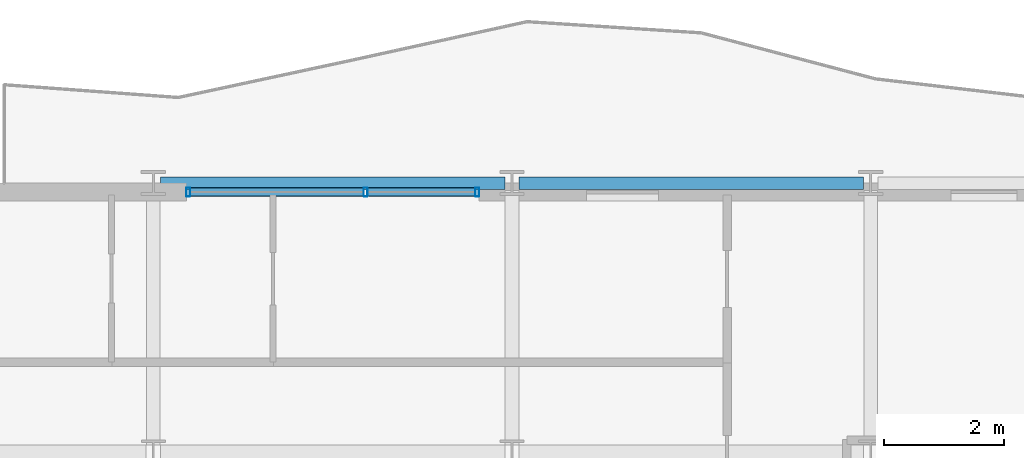
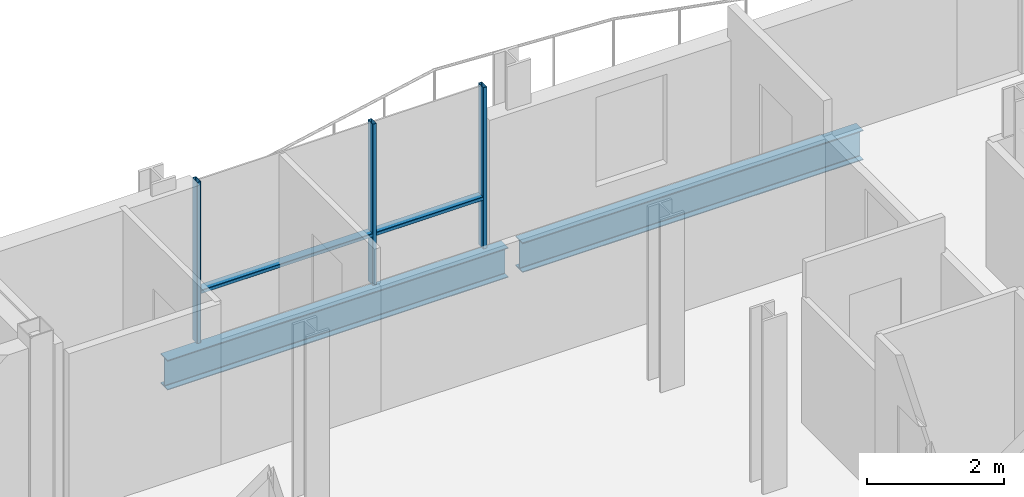
# One storey, part 23 of 41: 5 members, 2 beams, 1 element without a shape of its own.
"""IFC4 building model written with IfcOpenShell, lengths in metres."""

import ifcopenshell
import ifcopenshell.guid

model = None  # the IFC model being written
_history = None  # IfcOwnerHistory: only IFC2X3 demands one
_inside = {}  # id of a spatial element -> (the spatial element, [elements in it])
_under = {}  # id of a project, library or spatial element -> (it, [spatial elements below it])
_declared = {}  # id of a project -> (the project, [libraries it declares])
_typed = {}  # id of a type object -> (the type object, [elements of that type])
_made_of = {}  # id of a material, layer set ... -> (it, [elements and type objects made of it])


def new_model(schema):
    """Start an empty IFC model of exactly this schema.

    Asked for "IFC4X3", IfcOpenShell would pick the latest addendum, in which some entities
    have other attributes; the version numbers below select the first issue.
    IFC2X3 requires an IfcOwnerHistory on every rooted entity: one is made here for all.
    """
    global model, _history
    if schema == "IFC4X3":
        model = ifcopenshell.file(schema_version=(4, 3, 0, 0))
    else:
        model = ifcopenshell.file(schema=schema)
    _inside.clear()
    _under.clear()
    _declared.clear()
    _typed.clear()
    _made_of.clear()
    _history = None
    if model.schema == "IFC2X3":
        org = make("IfcOrganization", Name="unknown")
        user = make(
            "IfcPersonAndOrganization",
            ThePerson=make("IfcPerson", FamilyName="unknown"),
            TheOrganization=org,
        )
        app = make(
            "IfcApplication",
            ApplicationDeveloper=org,
            Version="unknown",
            ApplicationFullName="unknown",
            ApplicationIdentifier="unknown",
        )
        _history = make(
            "IfcOwnerHistory",
            OwningUser=user,
            OwningApplication=app,
            ChangeAction="ADDED",
            CreationDate=0,
        )
    return model


def make(cls, **values):
    """One entity of the class cls with the attributes given. An attribute that is None is left unset."""
    return model.create_entity(
        cls, **{name: value for name, value in values.items() if value is not None}
    )


def rooted(cls, **values):
    """An entity with a GlobalId (a new one), such as an element, a storey or a relation."""
    return make(cls, GlobalId=ifcopenshell.guid.new(), OwnerHistory=_history, **values)


def si_unit(unit_type, name, prefix=None):
    """IfcSIUnit, for example si_unit("LENGTHUNIT", "METRE", prefix="MILLI")."""
    return make("IfcSIUnit", UnitType=unit_type, Prefix=prefix, Name=name)


def assignment(units):
    """IfcUnitAssignment: the units of a project."""
    return None if units is None else make("IfcUnitAssignment", Units=units)


def point(xyz):
    """IfcCartesianPoint."""
    return None if xyz is None else make("IfcCartesianPoint", Coordinates=xyz)


def direction(xyz):
    """IfcDirection."""
    return None if xyz is None else make("IfcDirection", DirectionRatios=xyz)


def frame(location, z_axis=None, x_axis=None):
    """IfcAxis2Placement3D, a coordinate frame: its origin and axes. An axis left out is left unset."""
    return make(
        "IfcAxis2Placement3D",
        Location=point(location),
        Axis=direction(z_axis),
        RefDirection=direction(x_axis),
    )


def frame_2d(location, x_axis=None):
    """IfcAxis2Placement2D, a coordinate frame in the plane: its origin and x axis."""
    return make(
        "IfcAxis2Placement2D", Location=point(location), RefDirection=direction(x_axis)
    )


def origin():
    """The frame at (0, 0, 0) with its axes left unset."""
    return frame((0.0, 0.0, 0.0))


def origin_2d():
    """The frame at (0, 0) in the plane with its x axis left unset."""
    return frame_2d((0.0, 0.0))


def place(relative_to, where):
    """IfcLocalPlacement: puts the frame where relative to a parent placement (None: the world)."""
    return make(
        "IfcLocalPlacement", PlacementRelTo=relative_to, RelativePlacement=where
    )


def context(
    kind, dimensions, precision=None, world=None, true_north=None, identifier=None
):
    """IfcGeometricRepresentationContext, for example the 3D "Model" context."""
    return make(
        "IfcGeometricRepresentationContext",
        ContextIdentifier=identifier,
        ContextType=kind,
        CoordinateSpaceDimension=dimensions,
        Precision=precision,
        WorldCoordinateSystem=world,
        TrueNorth=true_north,
    )


def subcontext(parent, identifier, kind, view, scale=None):
    """IfcGeometricRepresentationSubContext, for example "Body" below "Model"."""
    return make(
        "IfcGeometricRepresentationSubContext",
        ContextIdentifier=identifier,
        ContextType=kind,
        ParentContext=parent,
        TargetScale=scale,
        TargetView=view,
    )


def project(units=None, contexts=None):
    """IfcProject with its units and contexts."""
    return rooted(
        "IfcProject",
        Name="project",
        RepresentationContexts=contexts,
        UnitsInContext=assignment(units),
    )


def spatial(cls, under=None, at=None, **own):
    """A site, building, storey or space (cls), placed at a placement, below another one or the project."""
    s = rooted(cls, ObjectPlacement=at, **own)
    if under is not None:
        _under.setdefault(under.id(), (under, []))[1].append(s)
    return s


def profile(cls, at=None, kind="AREA", **sizes):
    """A parametric profile (cls). Its sizes go by their IFC names, for example OverallWidth=200.0."""
    return make(cls, ProfileType=kind, Position=at, **sizes)


def hollow_rectangle(**sizes):
    """IfcRectangleHollowProfileDef."""
    return profile("IfcRectangleHollowProfileDef", **sizes)


def i_section(**sizes):
    """IfcIShapeProfileDef."""
    return profile("IfcIShapeProfileDef", **sizes)


def extrude(swept, where, along, depth):
    """IfcExtrudedAreaSolid: the profile swept, set in the frame where, extruded along a direction by depth."""
    return make(
        "IfcExtrudedAreaSolid",
        SweptArea=swept,
        Position=where,
        ExtrudedDirection=direction(along),
        Depth=depth,
    )


def shape(context_of_items, identifier, shape_type, items):
    """IfcShapeRepresentation: the items that make up one representation, for example the "Body"."""
    return make(
        "IfcShapeRepresentation",
        ContextOfItems=context_of_items,
        RepresentationIdentifier=identifier,
        RepresentationType=shape_type,
        Items=items,
    )


def material(Name=None, Category=None):
    """IfcMaterial."""
    return make("IfcMaterial", Name=Name, Category=Category)


def layer(
    of_material, thickness, ventilated=None, Name=None, Category=None, Priority=None
):
    """IfcMaterialLayer: one layer of a wall or slab, of a material (None: an air gap)."""
    return make(
        "IfcMaterialLayer",
        Material=of_material,
        LayerThickness=thickness,
        IsVentilated=ventilated,
        Name=Name,
        Category=Category,
        Priority=Priority,
    )


def layer_set(layers, Name=None):
    """IfcMaterialLayerSet."""
    return make("IfcMaterialLayerSet", MaterialLayers=layers, LayerSetName=Name)


def material_profile(
    of_material, cross_section, Name=None, Category=None, Priority=None
):
    """IfcMaterialProfile: a cross section and its material."""
    return make(
        "IfcMaterialProfile",
        Name=Name,
        Material=of_material,
        Profile=cross_section,
        Priority=Priority,
        Category=Category,
    )


def profile_set(profiles, Name=None, composite=None):
    """IfcMaterialProfileSet."""
    return make(
        "IfcMaterialProfileSet",
        Name=Name,
        MaterialProfiles=profiles,
        CompositeProfile=composite,
    )


def made_of(thing, what):
    """Note that an element or type object is made of a material, layer set ...; save() writes the relation."""
    if what is not None:
        _made_of.setdefault(what.id(), (what, []))[1].append(thing)
    return thing


def type_object(cls, material=None, **own):
    """A type object (cls), such as IfcWallType, which elements share."""
    return made_of(rooted(cls, **own), material)


def element(
    cls,
    number,
    at=None,
    inside=None,
    cuts=None,
    type_object=None,
    material=None,
    context=None,
    identifier="Body",
    shape_type=None,
    held_by="IfcProductDefinitionShape",
    body=None,
    shapes=None,
    **own,
):
    """One element of the class cls, such as IfcWall. Its Tag is "e" and its number.

    at: its placement. inside: the storey or other place that contains it. cuts: it is an
    opening in that element (IfcRelVoidsElement). A single representation is given by context,
    identifier, shape_type and body (its items); several are given by shapes. held_by: the class
    of the entity that holds the representations. save() writes the other relations.
    """
    e = rooted(cls, Tag="e%d" % number, ObjectPlacement=at, **own)
    if body is not None:
        shapes = [shape(context, identifier, shape_type, body)]
    if shapes is not None:
        e.Representation = make(held_by, Representations=shapes)
    if inside is not None:
        _inside.setdefault(inside.id(), (inside, []))[1].append(e)
    if cuts is not None:
        rooted(
            "IfcRelVoidsElement", RelatingBuildingElement=cuts, RelatedOpeningElement=e
        )
    if type_object is not None:
        _typed.setdefault(type_object.id(), (type_object, []))[1].append(e)
    return made_of(e, material)


def aggregate(whole, parts):
    """IfcRelAggregates: a whole, such as a stair, and the parts it consists of."""
    return rooted("IfcRelAggregates", RelatingObject=whole, RelatedObjects=parts)


def save(model, path):
    """Write the relations noted so far, then the file.

    IfcRelAggregates (storeys below a building ...), IfcRelContainedInSpatialStructure (elements
    in a storey), IfcRelDefinesByType, IfcRelAssociatesMaterial and IfcRelDeclares: one each for
    every whole, place, type object, material and project.
    """
    for whole, parts in _under.values():
        aggregate(whole, parts)
    for where, things in _inside.values():
        rooted(
            "IfcRelContainedInSpatialStructure",
            RelatedElements=things,
            RelatingStructure=where,
        )
    for kind, things in _typed.values():
        rooted("IfcRelDefinesByType", RelatedObjects=things, RelatingType=kind)
    for what, things in _made_of.values():
        rooted("IfcRelAssociatesMaterial", RelatedObjects=things, RelatingMaterial=what)
    for by, libraries in _declared.values():
        rooted("IfcRelDeclares", RelatingContext=by, RelatedDefinitions=libraries)
    model.write(path)


model = new_model("IFC4")

# Units and contexts
model_context = context("Model", 3, precision=1e-05, world=origin(), true_north=direction((0.0, 1.0)))
body_context = subcontext(model_context, "Body", "Model", "MODEL_VIEW")
ifc_project = project(units=[si_unit("LENGTHUNIT", "METRE"), si_unit("AREAUNIT", "SQUARE_METRE"), si_unit("VOLUMEUNIT", "CUBIC_METRE"), si_unit("PLANEANGLEUNIT", "RADIAN"), si_unit("MASSUNIT", "GRAM", prefix="KILO")], contexts=[model_context])

# Site, building, storey
site_placement = place(None, origin())
site = spatial("IfcSite", under=ifc_project, at=site_placement, CompositionType="ELEMENT")
building_placement = place(site_placement, origin())
building = spatial("IfcBuilding", under=site, at=building_placement, Name="Brevholm Reach", CompositionType="ELEMENT")
storey_placement = place(building_placement, frame((0.0, 0.0, 138.699951171875)))
storey = spatial("IfcBuildingStorey", under=building, at=storey_placement, Name="L41", CompositionType="ELEMENT", Elevation=138.699951171875)

# Beams
ifc_material_1 = material(Name="Structural Steel S355J2", Category="steel")
ifc_material_profile_1 = material_profile(ifc_material_1, i_section(OverallWidth=0.209228515625, OverallDepth=0.533203125, WebThickness=0.010009765625, FlangeThickness=0.015625, FilletRadius=0.0126953125, at=origin_2d()), Name="UKB 533x210x92")
ifc_profile_set_1 = profile_set([ifc_material_profile_1], Name="Structural Steel S355J2")
beam_type = type_object("IfcBeamType", Name="BM-SP533", PredefinedType="SPANDREL", material=ifc_profile_set_1)
for number, where, z_axis, x_axis, name in (
    (1, (6.1201171875, 31.0, -0.486572265625), (1.0, 0.0, 0.0), (0.0, 1.0, 0.0), "L41 SP-02 Framing Beam"),
    (2, (12.1201171875, 31.0, -0.486572265625), (1.0, 0.0, 0.0), (0.0, 1.0, 0.0), "L41 SP-02 Framing Beam"),
):
    element("IfcBeam", number, at=place(storey_placement, frame(where, z_axis=z_axis, x_axis=x_axis)), inside=storey, type_object=beam_type, Name=name, PredefinedType="SPANDREL", context=body_context, shape_type="SweptSolid", body=[
        extrude(i_section(OverallWidth=0.209228515625, OverallDepth=0.533203125, WebThickness=0.010009765625, FlangeThickness=0.015625, FilletRadius=0.0126953125, at=origin_2d()), origin(), (0.0, 0.0, 1.0), 5.759765625),
    ])

# Curtain wall, members
ifc_material_2 = material(Name="Dark Anodised Aluminium 6063-T6 and Solar-Control Glass", Category="aluminium")
ifc_layer = layer(ifc_material_2, 0.14990234375)
ifc_layer_set = layer_set([ifc_layer], Name="Dark Anodised Aluminium 6063-T6 and Solar-Control Glass")
curtain_wall_type = type_object("IfcCurtainWallType", Name="CW-01", PredefinedType="NOTDEFINED", material=ifc_layer_set)
curtain_wall_placement = place(storey_placement, origin())
curtain_wall = element("IfcCurtainWall", 3, at=curtain_wall_placement, inside=storey, type_object=curtain_wall_type, Name="L41 Curtain Wall CW-01", PredefinedType="NOTDEFINED")
ifc_material_3 = material(Name="Dark Anodised Aluminium 6063-T6", Category="aluminium")
ifc_material_profile_2 = material_profile(ifc_material_3, hollow_rectangle(XDim=0.06494140625, YDim=0.14990234375, WallThickness=0.0048828125, InnerFilletRadius=0.0048828125, OuterFilletRadius=0.010009765625, at=origin_2d()), Name="RHS 150x65x5")
ifc_profile_set_2 = profile_set([ifc_material_profile_2], Name="Dark Anodised Aluminium 6063-T6")
member_type_1 = type_object("IfcMemberType", Name="CWM-150", PredefinedType="MULLION", material=ifc_profile_set_2)
member_1_placement = place(storey_placement, frame((6.58251953125, 30.85009765625, 0.0), z_axis=(0.0, 0.0, 1.0), x_axis=(1.0, 0.0, 0.0)))
member_1 = element("IfcMember", 4, at=member_1_placement, type_object=member_type_1, Name="CM-150 Mullion 1", PredefinedType="MULLION", context=body_context, shape_type="SweptSolid", body=[
    extrude(hollow_rectangle(XDim=0.06494140625, YDim=0.14990234375, WallThickness=0.0048828125, InnerFilletRadius=0.0048828125, OuterFilletRadius=0.010009765625, at=origin_2d()), origin(), (0.0, 0.0, 1.0), 2.880126953125),
])
member_2_placement = place(storey_placement, frame((9.550048828125, 30.85009765625, 0.0), z_axis=(0.0, 0.0, 1.0), x_axis=(1.0, 0.0, 0.0)))
member_2 = element("IfcMember", 5, at=member_2_placement, type_object=member_type_1, Name="CM-150 Mullion 2", PredefinedType="MULLION", context=body_context, shape_type="SweptSolid", body=[
    extrude(hollow_rectangle(XDim=0.06494140625, YDim=0.14990234375, WallThickness=0.0048828125, InnerFilletRadius=0.0048828125, OuterFilletRadius=0.010009765625, at=origin_2d()), origin(), (0.0, 0.0, 1.0), 2.880126953125),
])
member_3_placement = place(storey_placement, frame((11.41748046875, 30.85009765625, 0.0), z_axis=(0.0, 0.0, 1.0), x_axis=(1.0, 0.0, 0.0)))
member_3 = element("IfcMember", 6, at=member_3_placement, type_object=member_type_1, Name="CM-150 Mullion 3", PredefinedType="MULLION", context=body_context, shape_type="SweptSolid", body=[
    extrude(hollow_rectangle(XDim=0.06494140625, YDim=0.14990234375, WallThickness=0.0048828125, InnerFilletRadius=0.0048828125, OuterFilletRadius=0.010009765625, at=origin_2d()), origin(), (0.0, 0.0, 1.0), 2.880126953125),
])
ifc_material_4 = material(Name="Dark Anodised Aluminium 6063-T6", Category="aluminium")
ifc_material_profile_3 = material_profile(ifc_material_4, hollow_rectangle(XDim=0.06494140625, YDim=0.14990234375, WallThickness=0.0048828125, InnerFilletRadius=0.0048828125, OuterFilletRadius=0.010009765625, at=origin_2d()), Name="RHS 150x65x5")
ifc_profile_set_3 = profile_set([ifc_material_profile_3], Name="Dark Anodised Aluminium 6063-T6")
member_type_2 = type_object("IfcMemberType", Name="CWT-150", PredefinedType="NOTDEFINED", material=ifc_profile_set_3)
member_4_placement = place(storey_placement, frame((6.614990234375, 30.85009765625, 0.900146484375), z_axis=(1.0, 0.0, 0.0), x_axis=(0.0, 0.0, 1.0)))
member_4 = element("IfcMember", 7, at=member_4_placement, type_object=member_type_2, Name="CT-150 Transom 1.1", ObjectType="TRANSOM", PredefinedType="USERDEFINED", context=body_context, shape_type="SweptSolid", body=[
    extrude(hollow_rectangle(XDim=0.06494140625, YDim=0.14990234375, WallThickness=0.0048828125, InnerFilletRadius=0.0048828125, OuterFilletRadius=0.010009765625, at=origin_2d()), origin(), (0.0, 0.0, 1.0), 2.902587890625),
])
member_5_placement = place(storey_placement, frame((9.58251953125, 30.85009765625, 0.900146484375), z_axis=(1.0, 0.0, 0.0), x_axis=(0.0, 0.0, 1.0)))
member_5 = element("IfcMember", 8, at=member_5_placement, type_object=member_type_2, Name="CT-150 Transom 2.1", ObjectType="TRANSOM", PredefinedType="USERDEFINED", context=body_context, shape_type="SweptSolid", body=[
    extrude(hollow_rectangle(XDim=0.06494140625, YDim=0.14990234375, WallThickness=0.0048828125, InnerFilletRadius=0.0048828125, OuterFilletRadius=0.010009765625, at=origin_2d()), origin(), (0.0, 0.0, 1.0), 1.802490234375),
])
aggregate(curtain_wall, [member_1, member_2, member_3, member_4, member_5])

save(model, "model.ifc")
